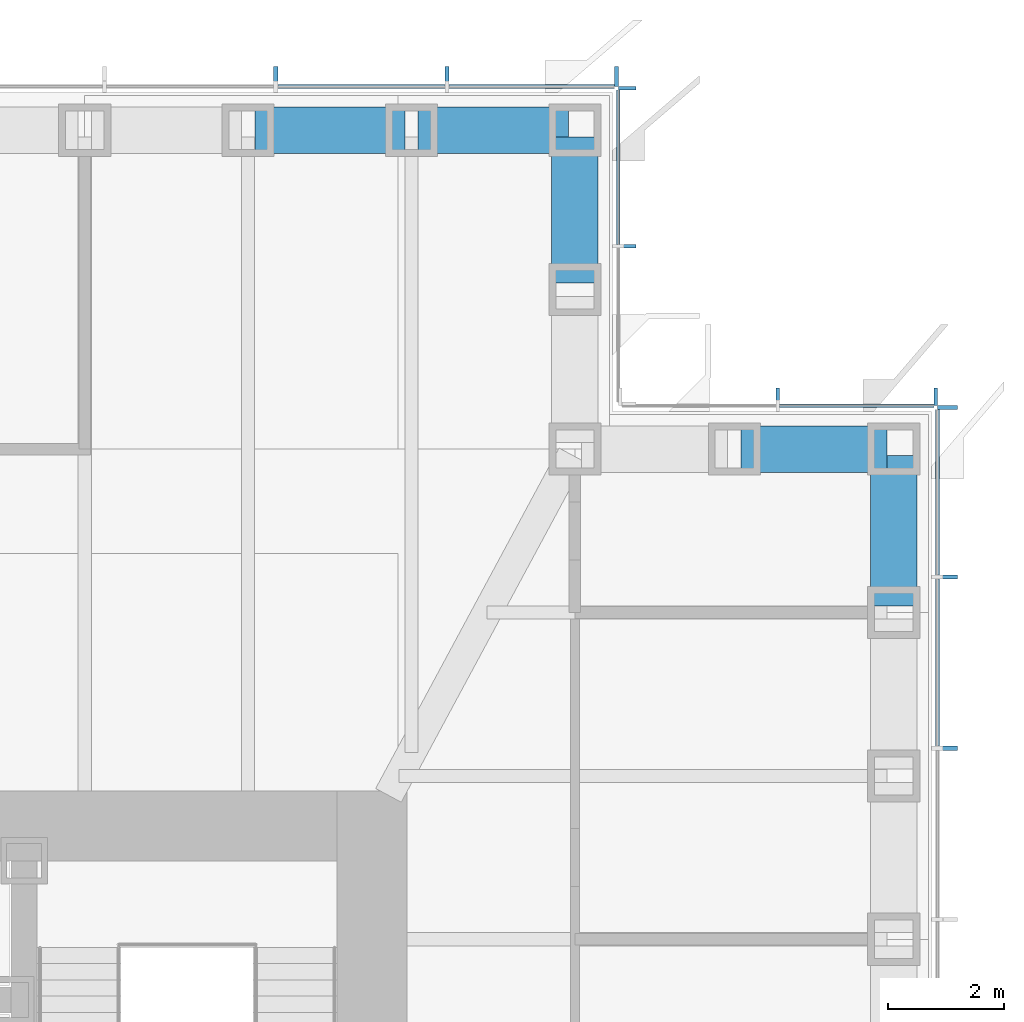
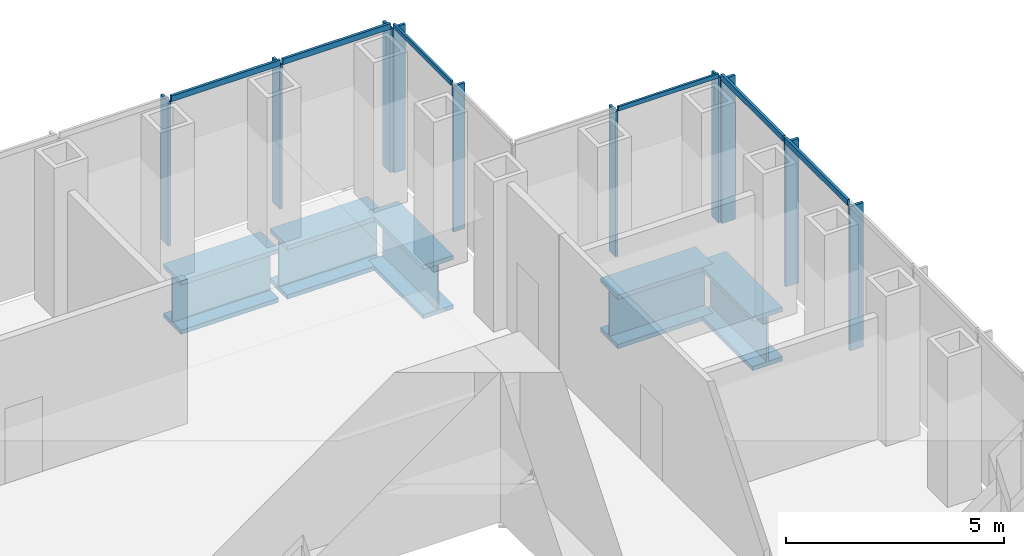
# One storey, part 6 of 17: 16 members, 5 beams, 4 elements without a shape of their own.
"""IFC4 building model written with IfcOpenShell, lengths in metres."""

import ifcopenshell
import ifcopenshell.guid

model = None  # the IFC model being written
_history = None  # IfcOwnerHistory: only IFC2X3 demands one
_inside = {}  # id of a spatial element -> (the spatial element, [elements in it])
_under = {}  # id of a project, library or spatial element -> (it, [spatial elements below it])
_declared = {}  # id of a project -> (the project, [libraries it declares])
_typed = {}  # id of a type object -> (the type object, [elements of that type])
_made_of = {}  # id of a material, layer set ... -> (it, [elements and type objects made of it])


def new_model(schema):
    """Start an empty IFC model of exactly this schema.

    Asked for "IFC4X3", IfcOpenShell would pick the latest addendum, in which some entities
    have other attributes; the version numbers below select the first issue.
    IFC2X3 requires an IfcOwnerHistory on every rooted entity: one is made here for all.
    """
    global model, _history
    if schema == "IFC4X3":
        model = ifcopenshell.file(schema_version=(4, 3, 0, 0))
    else:
        model = ifcopenshell.file(schema=schema)
    _inside.clear()
    _under.clear()
    _declared.clear()
    _typed.clear()
    _made_of.clear()
    _history = None
    if model.schema == "IFC2X3":
        org = make("IfcOrganization", Name="unknown")
        user = make(
            "IfcPersonAndOrganization",
            ThePerson=make("IfcPerson", FamilyName="unknown"),
            TheOrganization=org,
        )
        app = make(
            "IfcApplication",
            ApplicationDeveloper=org,
            Version="unknown",
            ApplicationFullName="unknown",
            ApplicationIdentifier="unknown",
        )
        _history = make(
            "IfcOwnerHistory",
            OwningUser=user,
            OwningApplication=app,
            ChangeAction="ADDED",
            CreationDate=0,
        )
    return model


def make(cls, **values):
    """One entity of the class cls with the attributes given. An attribute that is None is left unset."""
    return model.create_entity(
        cls, **{name: value for name, value in values.items() if value is not None}
    )


def rooted(cls, **values):
    """An entity with a GlobalId (a new one), such as an element, a storey or a relation."""
    return make(cls, GlobalId=ifcopenshell.guid.new(), OwnerHistory=_history, **values)


def si_unit(unit_type, name, prefix=None):
    """IfcSIUnit, for example si_unit("LENGTHUNIT", "METRE", prefix="MILLI")."""
    return make("IfcSIUnit", UnitType=unit_type, Prefix=prefix, Name=name)


def assignment(units):
    """IfcUnitAssignment: the units of a project."""
    return None if units is None else make("IfcUnitAssignment", Units=units)


def point(xyz):
    """IfcCartesianPoint."""
    return None if xyz is None else make("IfcCartesianPoint", Coordinates=xyz)


def direction(xyz):
    """IfcDirection."""
    return None if xyz is None else make("IfcDirection", DirectionRatios=xyz)


def frame(location, z_axis=None, x_axis=None):
    """IfcAxis2Placement3D, a coordinate frame: its origin and axes. An axis left out is left unset."""
    return make(
        "IfcAxis2Placement3D",
        Location=point(location),
        Axis=direction(z_axis),
        RefDirection=direction(x_axis),
    )


def frame_2d(location, x_axis=None):
    """IfcAxis2Placement2D, a coordinate frame in the plane: its origin and x axis."""
    return make(
        "IfcAxis2Placement2D", Location=point(location), RefDirection=direction(x_axis)
    )


def origin():
    """The frame at (0, 0, 0) with its axes left unset."""
    return frame((0.0, 0.0, 0.0))


def origin_2d():
    """The frame at (0, 0) in the plane with its x axis left unset."""
    return frame_2d((0.0, 0.0))


def place(relative_to, where):
    """IfcLocalPlacement: puts the frame where relative to a parent placement (None: the world)."""
    return make(
        "IfcLocalPlacement", PlacementRelTo=relative_to, RelativePlacement=where
    )


def context(
    kind, dimensions, precision=None, world=None, true_north=None, identifier=None
):
    """IfcGeometricRepresentationContext, for example the 3D "Model" context."""
    return make(
        "IfcGeometricRepresentationContext",
        ContextIdentifier=identifier,
        ContextType=kind,
        CoordinateSpaceDimension=dimensions,
        Precision=precision,
        WorldCoordinateSystem=world,
        TrueNorth=true_north,
    )


def subcontext(parent, identifier, kind, view, scale=None):
    """IfcGeometricRepresentationSubContext, for example "Body" below "Model"."""
    return make(
        "IfcGeometricRepresentationSubContext",
        ContextIdentifier=identifier,
        ContextType=kind,
        ParentContext=parent,
        TargetScale=scale,
        TargetView=view,
    )


def project(units=None, contexts=None):
    """IfcProject with its units and contexts."""
    return rooted(
        "IfcProject",
        Name="project",
        RepresentationContexts=contexts,
        UnitsInContext=assignment(units),
    )


def spatial(cls, under=None, at=None, **own):
    """A site, building, storey or space (cls), placed at a placement, below another one or the project."""
    s = rooted(cls, ObjectPlacement=at, **own)
    if under is not None:
        _under.setdefault(under.id(), (under, []))[1].append(s)
    return s


def profile(cls, at=None, kind="AREA", **sizes):
    """A parametric profile (cls). Its sizes go by their IFC names, for example OverallWidth=200.0."""
    return make(cls, ProfileType=kind, Position=at, **sizes)


def rectangle(**sizes):
    """IfcRectangleProfileDef."""
    return profile("IfcRectangleProfileDef", **sizes)


def i_section(**sizes):
    """IfcIShapeProfileDef."""
    return profile("IfcIShapeProfileDef", **sizes)


def extrude(swept, where, along, depth):
    """IfcExtrudedAreaSolid: the profile swept, set in the frame where, extruded along a direction by depth."""
    return make(
        "IfcExtrudedAreaSolid",
        SweptArea=swept,
        Position=where,
        ExtrudedDirection=direction(along),
        Depth=depth,
    )


def shape(context_of_items, identifier, shape_type, items):
    """IfcShapeRepresentation: the items that make up one representation, for example the "Body"."""
    return make(
        "IfcShapeRepresentation",
        ContextOfItems=context_of_items,
        RepresentationIdentifier=identifier,
        RepresentationType=shape_type,
        Items=items,
    )


def material(Name=None, Category=None):
    """IfcMaterial."""
    return make("IfcMaterial", Name=Name, Category=Category)


def material_profile(
    of_material, cross_section, Name=None, Category=None, Priority=None
):
    """IfcMaterialProfile: a cross section and its material."""
    return make(
        "IfcMaterialProfile",
        Name=Name,
        Material=of_material,
        Profile=cross_section,
        Priority=Priority,
        Category=Category,
    )


def profile_set(profiles, Name=None, composite=None):
    """IfcMaterialProfileSet."""
    return make(
        "IfcMaterialProfileSet",
        Name=Name,
        MaterialProfiles=profiles,
        CompositeProfile=composite,
    )


def made_of(thing, what):
    """Note that an element or type object is made of a material, layer set ...; save() writes the relation."""
    if what is not None:
        _made_of.setdefault(what.id(), (what, []))[1].append(thing)
    return thing


def type_object(cls, material=None, **own):
    """A type object (cls), such as IfcWallType, which elements share."""
    return made_of(rooted(cls, **own), material)


def element(
    cls,
    number,
    at=None,
    inside=None,
    cuts=None,
    type_object=None,
    material=None,
    context=None,
    identifier="Body",
    shape_type=None,
    held_by="IfcProductDefinitionShape",
    body=None,
    shapes=None,
    **own,
):
    """One element of the class cls, such as IfcWall. Its Tag is "e" and its number.

    at: its placement. inside: the storey or other place that contains it. cuts: it is an
    opening in that element (IfcRelVoidsElement). A single representation is given by context,
    identifier, shape_type and body (its items); several are given by shapes. held_by: the class
    of the entity that holds the representations. save() writes the other relations.
    """
    e = rooted(cls, Tag="e%d" % number, ObjectPlacement=at, **own)
    if body is not None:
        shapes = [shape(context, identifier, shape_type, body)]
    if shapes is not None:
        e.Representation = make(held_by, Representations=shapes)
    if inside is not None:
        _inside.setdefault(inside.id(), (inside, []))[1].append(e)
    if cuts is not None:
        rooted(
            "IfcRelVoidsElement", RelatingBuildingElement=cuts, RelatedOpeningElement=e
        )
    if type_object is not None:
        _typed.setdefault(type_object.id(), (type_object, []))[1].append(e)
    return made_of(e, material)


def aggregate(whole, parts):
    """IfcRelAggregates: a whole, such as a stair, and the parts it consists of."""
    return rooted("IfcRelAggregates", RelatingObject=whole, RelatedObjects=parts)


def save(model, path):
    """Write the relations noted so far, then the file.

    IfcRelAggregates (storeys below a building ...), IfcRelContainedInSpatialStructure (elements
    in a storey), IfcRelDefinesByType, IfcRelAssociatesMaterial and IfcRelDeclares: one each for
    every whole, place, type object, material and project.
    """
    for whole, parts in _under.values():
        aggregate(whole, parts)
    for where, things in _inside.values():
        rooted(
            "IfcRelContainedInSpatialStructure",
            RelatedElements=things,
            RelatingStructure=where,
        )
    for kind, things in _typed.values():
        rooted("IfcRelDefinesByType", RelatedObjects=things, RelatingType=kind)
    for what, things in _made_of.values():
        rooted("IfcRelAssociatesMaterial", RelatedObjects=things, RelatingMaterial=what)
    for by, libraries in _declared.values():
        rooted("IfcRelDeclares", RelatingContext=by, RelatedDefinitions=libraries)
    model.write(path)


model = new_model("IFC4")

# Units and contexts
model_context = context("Model", 3, precision=1e-05, world=origin(), true_north=direction((0.0, 1.0)))
body_context = subcontext(model_context, "Body", "Model", "MODEL_VIEW")
ifc_project = project(units=[si_unit("LENGTHUNIT", "METRE"), si_unit("AREAUNIT", "SQUARE_METRE"), si_unit("VOLUMEUNIT", "CUBIC_METRE"), si_unit("PLANEANGLEUNIT", "RADIAN"), si_unit("MASSUNIT", "GRAM", prefix="KILO")], contexts=[model_context])

# Site, building, storey
site_placement = place(None, origin())
site = spatial("IfcSite", under=ifc_project, at=site_placement, CompositionType="ELEMENT")
building_placement = place(site_placement, origin())
building = spatial("IfcBuilding", under=site, at=building_placement, Name="Daluyong Arena Tower", CompositionType="ELEMENT")
storey_placement = place(building_placement, frame((0.0, 0.0, 185.5)))
storey = spatial("IfcBuildingStorey", under=building, at=storey_placement, Name="L41", CompositionType="ELEMENT", Elevation=185.5)

# Curtain wall, members
ifc_material_1 = material(Name="Bronze anodised aluminium and glass", Category="aluminium")
curtain_wall_type_1 = type_object("IfcCurtainWallType", Name="Curtain wall CW3", PredefinedType="USERDEFINED", material=ifc_material_1)
curtain_wall_1_placement = place(storey_placement, origin())
curtain_wall_1 = element("IfcCurtainWall", 1, at=curtain_wall_1_placement, inside=storey, type_object=curtain_wall_type_1, Name="curtain wall L41 E", ObjectType="UNITISED CURTAIN WALL", PredefinedType="USERDEFINED")
ifc_material_2 = material(Name="Bronze anodised aluminium fin", Category="aluminium")
ifc_material_profile_1 = material_profile(ifc_material_2, rectangle(XDim=0.35009765625, YDim=0.070068359375, at=origin_2d()))
ifc_profile_set_1 = profile_set([ifc_material_profile_1], Name="Bronze anodised aluminium fin")
member_type_1 = type_object("IfcMemberType", Name="CW3 bronze fin 350x70", PredefinedType="MULLION", material=ifc_profile_set_1)
member_1_placement = place(storey_placement, frame((77.925048828125, 90.3408203125, 0.0), z_axis=(0.0, 0.0, 1.0), x_axis=(-1.0, 0.0, 0.0)))
member_1 = element("IfcMember", 2, at=member_1_placement, type_object=member_type_1, Name="curtain wall L41 E fin 10", PredefinedType="MULLION", context=body_context, shape_type="SweptSolid", body=[
    extrude(rectangle(XDim=0.35009765625, YDim=0.070068359375, at=origin_2d()), origin(), (0.0, 0.0, 1.0), 4.0400390625),
])
member_2_placement = place(storey_placement, frame((77.925048828125, 93.29541015625, 0.0), z_axis=(0.0, 0.0, 1.0), x_axis=(-1.0, 0.0, 0.0)))
member_2 = element("IfcMember", 3, at=member_2_placement, type_object=member_type_1, Name="curtain wall L41 E fin 11", PredefinedType="MULLION", context=body_context, shape_type="SweptSolid", body=[
    extrude(rectangle(XDim=0.35009765625, YDim=0.070068359375, at=origin_2d()), origin(), (0.0, 0.0, 1.0), 4.0400390625),
])
member_3_placement = place(storey_placement, frame((77.925048828125, 96.215087890625, 0.0), z_axis=(0.0, 0.0, 1.0), x_axis=(-1.0, 0.0, 0.0)))
member_3 = element("IfcMember", 4, at=member_3_placement, type_object=member_type_1, Name="curtain wall L41 E fin 12", PredefinedType="MULLION", context=body_context, shape_type="SweptSolid", body=[
    extrude(rectangle(XDim=0.35009765625, YDim=0.070068359375, at=origin_2d()), origin(), (0.0, 0.0, 1.0), 4.0400390625),
])

curtain_wall_2_placement = place(storey_placement, origin())
curtain_wall_2 = element("IfcCurtainWall", 5, at=curtain_wall_2_placement, inside=storey, type_object=curtain_wall_type_1, Name="curtain wall L41 N", ObjectType="UNITISED CURTAIN WALL", PredefinedType="USERDEFINED")
member_4_placement = place(storey_placement, frame((72.215087890625, 101.925048828125, 0.0), z_axis=(0.0, 0.0, 1.0), x_axis=(0.0, -1.0, 0.0)))
member_4 = element("IfcMember", 6, at=member_4_placement, type_object=member_type_1, Name="curtain wall L41 N fin 1", PredefinedType="MULLION", context=body_context, shape_type="SweptSolid", body=[
    extrude(rectangle(XDim=0.35009765625, YDim=0.070068359375, at=origin_2d()), origin(), (0.0, 0.0, 1.0), 4.0400390625),
])
member_5_placement = place(storey_placement, frame((69.29541015625, 101.925048828125, 0.0), z_axis=(0.0, 0.0, 1.0), x_axis=(0.0, -1.0, 0.0)))
member_5 = element("IfcMember", 7, at=member_5_placement, type_object=member_type_1, Name="curtain wall L41 N fin 2", PredefinedType="MULLION", context=body_context, shape_type="SweptSolid", body=[
    extrude(rectangle(XDim=0.35009765625, YDim=0.070068359375, at=origin_2d()), origin(), (0.0, 0.0, 1.0), 4.0400390625),
])
member_6_placement = place(storey_placement, frame((66.3408203125, 101.925048828125, 0.0), z_axis=(0.0, 0.0, 1.0), x_axis=(0.0, -1.0, 0.0)))
member_6 = element("IfcMember", 8, at=member_6_placement, type_object=member_type_1, Name="curtain wall L41 N fin 3", PredefinedType="MULLION", context=body_context, shape_type="SweptSolid", body=[
    extrude(rectangle(XDim=0.35009765625, YDim=0.070068359375, at=origin_2d()), origin(), (0.0, 0.0, 1.0), 4.0400390625),
])

# Member
ifc_material_3 = material(Name="Bronze anodised aluminium", Category="aluminium")
ifc_material_profile_2 = material_profile(ifc_material_3, rectangle(XDim=0.070068359375, YDim=0.159912109375, at=origin_2d()))
ifc_profile_set_2 = profile_set([ifc_material_profile_2], Name="Bronze anodised aluminium")
member_type_2 = type_object("IfcMemberType", Name="CW3 stack transom 160x70", PredefinedType="USERDEFINED", material=ifc_profile_set_2)
member_7_placement = place(storey_placement, frame((77.75, 90.3759765625, 4.1201171875), z_axis=(0.0, 1.0, 0.0), x_axis=(-1.0, 0.0, 0.0)))
member_7 = element("IfcMember", 9, at=member_7_placement, type_object=member_type_2, Name="curtain wall L41 E transom 10", ObjectType="TRANSOM", PredefinedType="USERDEFINED", context=body_context, shape_type="SweptSolid", body=[
    extrude(rectangle(XDim=0.070068359375, YDim=0.159912109375, at=origin_2d()), origin(), (0.0, 0.0, 1.0), 2.884521484375),
])

member_8_placement = place(storey_placement, frame((77.75, 93.33056640625, 4.1201171875), z_axis=(0.0, 1.0, 0.0), x_axis=(-1.0, 0.0, 0.0)))
member_8 = element("IfcMember", 10, at=member_8_placement, type_object=member_type_2, Name="curtain wall L41 E transom 11", ObjectType="TRANSOM", PredefinedType="USERDEFINED", context=body_context, shape_type="SweptSolid", body=[
    extrude(rectangle(XDim=0.070068359375, YDim=0.159912109375, at=origin_2d()), origin(), (0.0, 0.0, 1.0), 2.849365234375),
])

aggregate(curtain_wall_1, [member_1, member_2, member_3, member_7, member_8])

member_9_placement = place(storey_placement, frame((72.179931640625, 101.75, 4.1201171875), z_axis=(-1.0, 0.0, 0.0), x_axis=(0.0, -1.0, 0.0)))
member_9 = element("IfcMember", 11, at=member_9_placement, type_object=member_type_2, Name="curtain wall L41 N transom 1", ObjectType="TRANSOM", PredefinedType="USERDEFINED", context=body_context, shape_type="SweptSolid", body=[
    extrude(rectangle(XDim=0.070068359375, YDim=0.159912109375, at=origin_2d()), origin(), (0.0, 0.0, 1.0), 2.849365234375),
])

member_10_placement = place(storey_placement, frame((69.260498046875, 101.75, 4.1201171875), z_axis=(-1.0, 0.0, 0.0), x_axis=(0.0, -1.0, 0.0)))
member_10 = element("IfcMember", 12, at=member_10_placement, type_object=member_type_2, Name="curtain wall L41 N transom 2", ObjectType="TRANSOM", PredefinedType="USERDEFINED", context=body_context, shape_type="SweptSolid", body=[
    extrude(rectangle(XDim=0.070068359375, YDim=0.159912109375, at=origin_2d()), origin(), (0.0, 0.0, 1.0), 2.884521484375),
])

aggregate(curtain_wall_2, [member_4, member_5, member_6, member_9, member_10])

# Curtain wall, members
ifc_material_4 = material(Name="Bronze anodised aluminium and glass", Category="aluminium")
curtain_wall_type_2 = type_object("IfcCurtainWallType", Name="Curtain wall CW7", PredefinedType="USERDEFINED", material=ifc_material_4)
curtain_wall_3_placement = place(storey_placement, origin())
curtain_wall_3 = element("IfcCurtainWall", 13, at=curtain_wall_3_placement, inside=storey, type_object=curtain_wall_type_2, Name="curtain wall L41 NE-N", ObjectType="UNITISED CURTAIN WALL", PredefinedType="USERDEFINED")
ifc_material_5 = material(Name="Bronze anodised aluminium fin", Category="aluminium")
ifc_material_profile_3 = material_profile(ifc_material_5, rectangle(XDim=0.300048828125, YDim=0.06005859375, at=origin_2d()))
ifc_profile_set_3 = profile_set([ifc_material_profile_3], Name="Bronze anodised aluminium fin")
member_type_3 = type_object("IfcMemberType", Name="CW7 bronze fin 300x60", PredefinedType="MULLION", material=ifc_profile_set_3)
member_11_placement = place(storey_placement, frame((77.719970703125, 96.39990234375, 0.0), z_axis=(0.0, 0.0, 1.0), x_axis=(0.0, -1.0, 0.0)))
member_11 = element("IfcMember", 14, at=member_11_placement, type_object=member_type_3, Name="curtain wall L41 NE-N fin 1", PredefinedType="MULLION", context=body_context, shape_type="SweptSolid", body=[
    extrude(rectangle(XDim=0.300048828125, YDim=0.06005859375, at=origin_2d()), origin(), (0.0, 0.0, 1.0), 4.080078125),
])
member_12_placement = place(storey_placement, frame((75.0, 96.39990234375, 0.0), z_axis=(0.0, 0.0, 1.0), x_axis=(0.0, -1.0, 0.0)))
member_12 = element("IfcMember", 15, at=member_12_placement, type_object=member_type_3, Name="curtain wall L41 NE-N fin 2", PredefinedType="MULLION", context=body_context, shape_type="SweptSolid", body=[
    extrude(rectangle(XDim=0.300048828125, YDim=0.06005859375, at=origin_2d()), origin(), (0.0, 0.0, 1.0), 4.080078125),
])

curtain_wall_4_placement = place(storey_placement, origin())
curtain_wall_4 = element("IfcCurtainWall", 16, at=curtain_wall_4_placement, inside=storey, type_object=curtain_wall_type_2, Name="curtain wall L41 NE-E", ObjectType="UNITISED CURTAIN WALL", PredefinedType="USERDEFINED")
member_13_placement = place(storey_placement, frame((72.39990234375, 99.0, 0.0), z_axis=(0.0, 0.0, 1.0), x_axis=(-1.0, 0.0, 0.0)))
member_13 = element("IfcMember", 17, at=member_13_placement, type_object=member_type_3, Name="curtain wall L41 NE-E fin 2", PredefinedType="MULLION", context=body_context, shape_type="SweptSolid", body=[
    extrude(rectangle(XDim=0.300048828125, YDim=0.06005859375, at=origin_2d()), origin(), (0.0, 0.0, 1.0), 4.080078125),
])
member_14_placement = place(storey_placement, frame((72.39990234375, 101.719970703125, 0.0), z_axis=(0.0, 0.0, 1.0), x_axis=(-1.0, 0.0, 0.0)))
member_14 = element("IfcMember", 18, at=member_14_placement, type_object=member_type_3, Name="curtain wall L41 NE-E fin 3", PredefinedType="MULLION", context=body_context, shape_type="SweptSolid", body=[
    extrude(rectangle(XDim=0.300048828125, YDim=0.06005859375, at=origin_2d()), origin(), (0.0, 0.0, 1.0), 4.080078125),
])

# Member
ifc_material_6 = material(Name="Bronze anodised aluminium", Category="aluminium")
ifc_material_profile_4 = material_profile(ifc_material_6, rectangle(XDim=0.06005859375, YDim=0.1201171875, at=origin_2d()))
ifc_profile_set_4 = profile_set([ifc_material_profile_4], Name="Bronze anodised aluminium")
member_type_4 = type_object("IfcMemberType", Name="CW7 stack transom 120x60", PredefinedType="USERDEFINED", material=ifc_profile_set_4)
member_15_placement = place(storey_placement, frame((77.68994140625, 96.25, 4.139892578125), z_axis=(-1.0, 0.0, 0.0), x_axis=(0.0, -1.0, 0.0)))
member_15 = element("IfcMember", 19, at=member_15_placement, type_object=member_type_4, Name="curtain wall L41 NE-N transom 1", ObjectType="TRANSOM", PredefinedType="USERDEFINED", context=body_context, shape_type="SweptSolid", body=[
    extrude(rectangle(XDim=0.06005859375, YDim=0.1201171875, at=origin_2d()), origin(), (0.0, 0.0, 1.0), 2.659912109375),
])

aggregate(curtain_wall_3, [member_11, member_12, member_15])

member_16_placement = place(storey_placement, frame((72.25, 99.030029296875, 4.139892578125), z_axis=(0.0, 1.0, 0.0), x_axis=(-1.0, 0.0, 0.0)))
member_16 = element("IfcMember", 20, at=member_16_placement, type_object=member_type_4, Name="curtain wall L41 NE-E transom 2", ObjectType="TRANSOM", PredefinedType="USERDEFINED", context=body_context, shape_type="SweptSolid", body=[
    extrude(rectangle(XDim=0.06005859375, YDim=0.1201171875, at=origin_2d()), origin(), (0.0, 0.0, 1.0), 2.659912109375),
])

aggregate(curtain_wall_4, [member_13, member_14, member_16])

# Beams
ifc_material_7 = material(Name="Steel ASTM A588 Grade 50", Category="steel")
ifc_material_profile_5 = material_profile(ifc_material_7, i_section(OverallWidth=0.800048828125, OverallDepth=1.5, WebThickness=0.05, FlangeThickness=0.12, at=origin_2d()))
ifc_profile_set_5 = profile_set([ifc_material_profile_5], Name="Steel ASTM A588 Grade 50")
beam_type = type_object("IfcBeamType", Name="Spandrel Z3 PG1500X800", PredefinedType="SPANDREL", material=ifc_profile_set_5)
beam_1_placement = place(storey_placement, frame((77.0, 92.796875, -0.909912109375), z_axis=(0.0, 1.0, 0.0), x_axis=(-1.0, 0.0, 0.0)))
element("IfcBeam", 21, at=beam_1_placement, inside=storey, type_object=beam_type, Name="spandrel z3 SB7", PredefinedType="SPANDREL", context=body_context, shape_type="SweptSolid", body=[
    extrude(i_section(OverallWidth=0.800048828125, OverallDepth=1.5, WebThickness=0.05, FlangeThickness=0.12, at=origin_2d()), origin(), (0.0, 0.0, 1.0), 2.588134765625),
])
for number, where, z_axis, x_axis, name in (
    (22, (76.885009765625, 95.5, -0.909912109375), (-1.0, 0.0, 0.0), (0.0, -1.0, 0.0), "spandrel z3 SB7"),
    (23, (71.5, 98.364990234375, -0.909912109375), (0.0, 1.0, 0.0), (-1.0, 0.0, 0.0), "spandrel z3 SB7"),
):
    element("IfcBeam", number, at=place(storey_placement, frame(where, z_axis=z_axis, x_axis=x_axis)), inside=storey, type_object=beam_type, Name=name, PredefinedType="SPANDREL", context=body_context, shape_type="SweptSolid", body=[
        extrude(i_section(OverallWidth=0.800048828125, OverallDepth=1.5, WebThickness=0.05, FlangeThickness=0.12, at=origin_2d()), origin(), (0.0, 0.0, 1.0), 2.52001953125),
    ])
beam_2_placement = place(storey_placement, frame((71.385009765625, 101.0, -0.909912109375), z_axis=(-1.0, 0.0, 0.0), x_axis=(0.0, -1.0, 0.0)))
element("IfcBeam", 24, at=beam_2_placement, inside=storey, type_object=beam_type, Name="spandrel z3 SB7", PredefinedType="SPANDREL", context=body_context, shape_type="SweptSolid", body=[
    extrude(i_section(OverallWidth=0.800048828125, OverallDepth=1.5, WebThickness=0.05, FlangeThickness=0.12, at=origin_2d()), origin(), (0.0, 0.0, 1.0), 2.588134765625),
])
beam_3_placement = place(storey_placement, frame((68.56689453125, 101.0, -0.909912109375), z_axis=(-1.0, 0.0, 0.0), x_axis=(0.0, -1.0, 0.0)))
element("IfcBeam", 25, at=beam_3_placement, inside=storey, type_object=beam_type, Name="spandrel z3 SB7", PredefinedType="SPANDREL", context=body_context, shape_type="SweptSolid", body=[
    extrude(i_section(OverallWidth=0.800048828125, OverallDepth=1.5, WebThickness=0.05, FlangeThickness=0.12, at=origin_2d()), origin(), (0.0, 0.0, 1.0), 2.58837890625),
])

save(model, "model.ifc")
